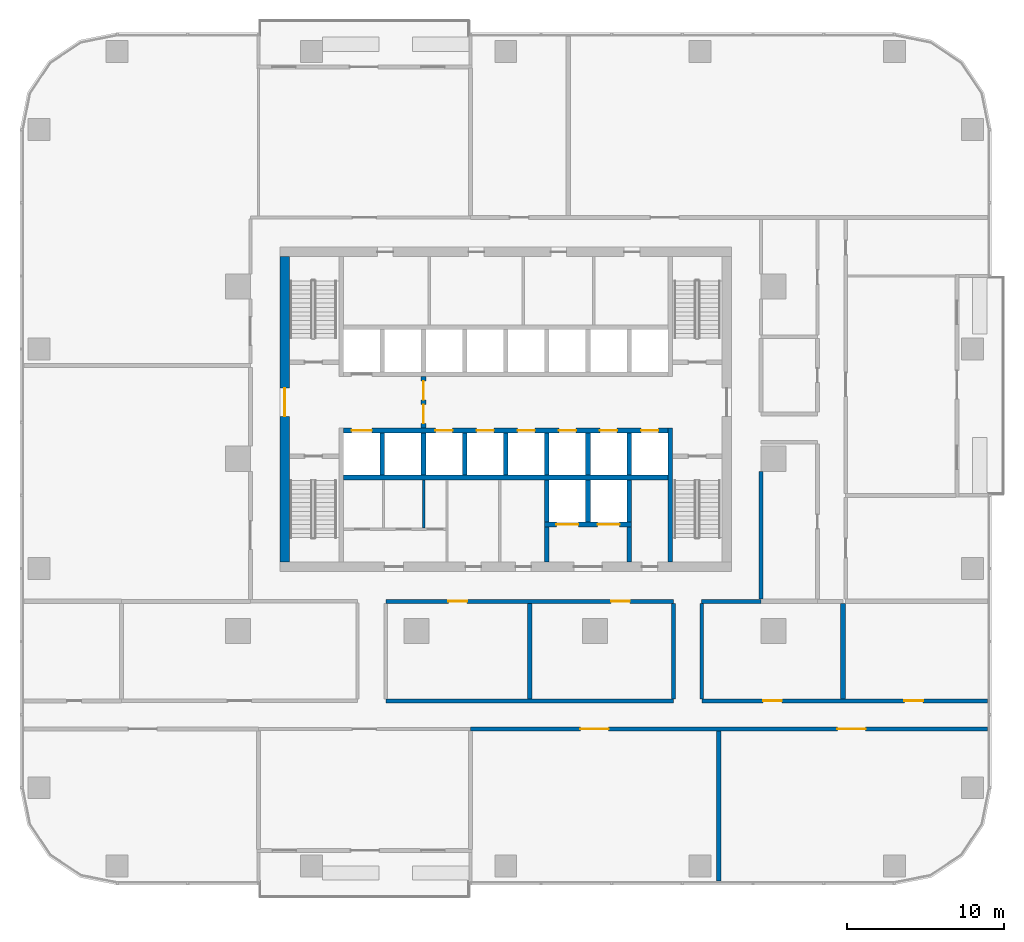
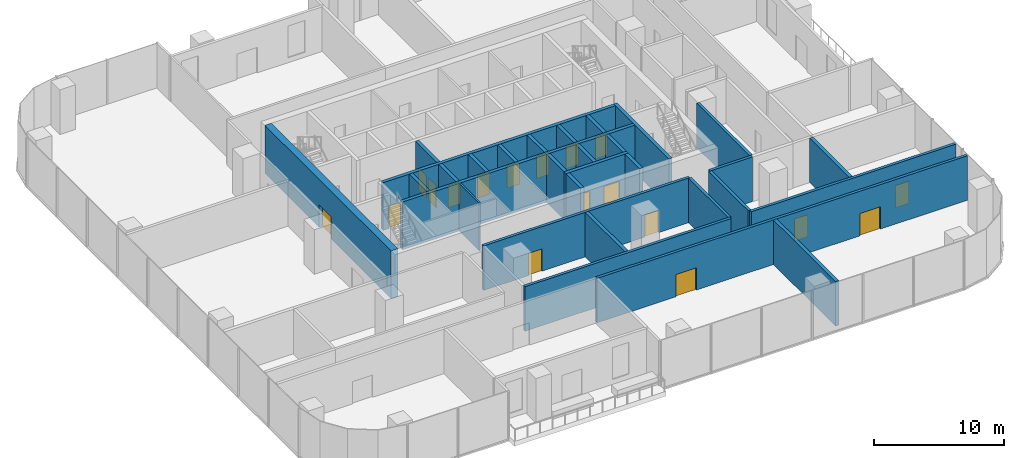
# One storey, part 8 of 15: 30 walls, 18 doors, 18 openings.
"""IFC4 building model written with IfcOpenShell, lengths in metres."""

from ifc_helpers import new_model, si_unit, direction, frame, frame_2d, origin, place, context, subcontext, project, spatial, rectangle, extrude, material, layer, layer_set, type_object, element, fill, save


model = new_model("IFC4")

# Units and contexts
model_context = context("Model", 3, precision=1e-05, world=origin(), true_north=direction((0.0, 1.0)))
body_context = subcontext(model_context, "Body", "Model", "MODEL_VIEW")
ifc_project = project(units=[si_unit("LENGTHUNIT", "METRE"), si_unit("AREAUNIT", "SQUARE_METRE"), si_unit("VOLUMEUNIT", "CUBIC_METRE"), si_unit("PLANEANGLEUNIT", "RADIAN"), si_unit("MASSUNIT", "GRAM", prefix="KILO")], contexts=[model_context])

# Site, building, storey
site_placement = place(None, origin())
site = spatial("IfcSite", under=ifc_project, at=site_placement, CompositionType="ELEMENT")
building_placement = place(site_placement, origin())
building = spatial("IfcBuilding", under=site, at=building_placement, Name="Mopane Tessera Tower", CompositionType="ELEMENT")
storey_placement = place(building_placement, frame((0.0, 0.0, 83.800048828125)))
storey = spatial("IfcBuildingStorey", under=building, at=storey_placement, Name="L16", CompositionType="ELEMENT", Elevation=83.800048828125)

# Wall
ifc_material_1 = material(Name="Fire-rated gypsum board partition")
ifc_layer_1 = layer(ifc_material_1, 0.14990234375)
ifc_layer_set_1 = layer_set([ifc_layer_1], Name="Fire-rated gypsum board partition")
wall_type_1 = type_object("IfcWallType", Name="Core room partition 150 mm", PredefinedType="PARTITIONING", material=ifc_layer_set_1)
wall_1_placement = place(storey_placement, frame((-5.235107421875, -4.425048828125, 0.0), z_axis=(0.0, 0.0, 1.0), x_axis=(0.0, 1.0, 0.0)))
element("IfcWall", 1, at=wall_1_placement, inside=storey, type_object=wall_type_1, Name="L16 WC partition", PredefinedType="PARTITIONING", context=body_context, shape_type="SweptSolid", body=[
    extrude(rectangle(XDim=3.074951171875, YDim=0.14990234375, at=frame_2d((1.53759765625, 0.0))), origin(), (0.0, 0.0, 1.0), 4.5),
])

# Wall, opening, door
ifc_material_2 = material(Name="Concrete C70/85", Category="concrete")
ifc_layer_2 = layer(ifc_material_2, 0.60009765625)
ifc_layer_set_2 = layer_set([ifc_layer_2], Name="Concrete C70/85")
wall_type_2 = type_object("IfcWallType", Name="Core shear wall 600 mm", PredefinedType="SHEAR", material=ifc_layer_set_2)
wall_2_placement = place(storey_placement, frame((-14.10009765625, -6.60009765625, 0.0), z_axis=(0.0, 0.0, 1.0), x_axis=(0.0, 1.0, 0.0)))
wall_2 = element("IfcWall", 2, at=wall_2_placement, inside=storey, type_object=wall_type_2, Name="L16 Core wall west", PredefinedType="SHEAR", context=body_context, shape_type="SweptSolid", body=[
    extrude(rectangle(XDim=19.5, YDim=0.60009765625, at=frame_2d((9.75, 0.0))), origin(), (0.0, 0.0, 1.0), 4.5),
])
opening_1_placement = place(wall_2_placement, frame((9.300048828125, 0.0, 0.0)))
opening_1 = element("IfcOpeningElement", 3, at=opening_1_placement, cuts=wall_2, Name="Opening SD2", PredefinedType="OPENING", context=body_context, shape_type="SweptSolid", body=[
    extrude(rectangle(XDim=1.800048828125, YDim=2.10009765625, at=frame_2d((0.89990234375, 1.050048828125))), frame((0.0, 0.31201171875, 0.0), z_axis=(0.0, -1.0, 0.0), x_axis=(1.0, 0.0, 0.0)), (0.0, 0.0, 1.0), 0.6240234375),
])
ifc_material_3 = material(Name="Steel fire door", Category="steel")
door_type_1 = type_object("IfcDoorType", Name="Core entrance double door 1800 x 2100", OperationType="DOUBLE_DOOR_SINGLE_SWING", PredefinedType="DOOR", material=ifc_material_3)
door_1_placement = place(opening_1_placement, origin())
door_1 = element("IfcDoor", 4, at=door_1_placement, inside=storey, type_object=door_type_1, Name="L16 Core entrance door west", OperationType="DOUBLE_DOOR_SINGLE_SWING", OverallHeight=2.10009765625, OverallWidth=1.800048828125, PredefinedType="DOOR", context=body_context, shape_type="SweptSolid", body=[
    extrude(rectangle(XDim=1.800048828125, YDim=2.10009765625, at=frame_2d((0.89990234375, 1.050048828125))), frame((0.0, 0.02490234375, 0.0), z_axis=(0.0, -1.0, 0.0), x_axis=(1.0, 0.0, 0.0)), (0.0, 0.0, 1.0), 0.050048828125),
])
fill(opening_1, door_1)

# Walls
ifc_material_4 = material(Name="Concrete C60/75", Category="concrete")
ifc_layer_3 = layer(ifc_material_4, 0.300048828125)
ifc_layer_set_3 = layer_set([ifc_layer_3], Name="Concrete C60/75")
wall_type_3 = type_object("IfcWallType", Name="Core spine wall 300 mm", PredefinedType="SHEAR", material=ifc_layer_set_3)
wall_3_placement = place(storey_placement, frame((10.5, -6.60009765625, 0.0), z_axis=(0.0, 0.0, 1.0), x_axis=(0.0, 1.0, 0.0)))
element("IfcWall", 5, at=wall_3_placement, inside=storey, type_object=wall_type_3, Name="L16 Core spine wall", PredefinedType="SHEAR", context=body_context, shape_type="SweptSolid", body=[
    extrude(rectangle(XDim=8.550048828125, YDim=0.300048828125, at=frame_2d((4.27490234375, 0.0))), origin(), (0.0, 0.0, 1.0), 4.5),
])
ifc_material_5 = material(Name="Concrete C50/60", Category="concrete")
ifc_layer_4 = layer(ifc_material_5, 0.300048828125)
ifc_layer_set_4 = layer_set([ifc_layer_4], Name="Concrete C50/60")
wall_type_4 = type_object("IfcWallType", Name="Lift and stair shaft wall 300 mm", PredefinedType="SOLIDWALL", material=ifc_layer_set_4)
wall_4_placement = place(storey_placement, frame((-10.35009765625, -1.199951171875, 0.0), z_axis=(0.0, 0.0, 1.0), x_axis=(1.0, 0.0, 0.0)))
element("IfcWall", 6, at=wall_4_placement, inside=storey, type_object=wall_type_4, Name="L16 Lift shaft rear wall", PredefinedType="SOLIDWALL", context=body_context, shape_type="SweptSolid", body=[
    extrude(rectangle(XDim=20.7001953125, YDim=0.300048828125, at=frame_2d((10.35009765625, 0.0))), origin(), (0.0, 0.0, 1.0), 4.5),
])

# Wall, openings, doors
wall_5_placement = place(storey_placement, frame((-10.35009765625, 1.800048828125, 0.0), z_axis=(0.0, 0.0, 1.0), x_axis=(1.0, 0.0, 0.0)))
wall_5 = element("IfcWall", 7, at=wall_5_placement, inside=storey, type_object=wall_type_4, Name="L16 Lift shaft front wall", PredefinedType="SOLIDWALL", context=body_context, shape_type="SweptSolid", body=[
    extrude(rectangle(XDim=20.7001953125, YDim=0.300048828125, at=frame_2d((10.35009765625, 0.0))), origin(), (0.0, 0.0, 1.0), 4.5),
])
opening_2_placement = place(wall_5_placement, frame((0.512451171875, 0.0, 0.0)))
opening_2 = element("IfcOpeningElement", 8, at=opening_2_placement, cuts=wall_5, Name="Opening LD2", PredefinedType="OPENING", context=body_context, shape_type="SweptSolid", body=[
    extrude(rectangle(XDim=1.300048828125, YDim=2.10009765625, at=frame_2d((0.64990234375, 1.050048828125))), frame((0.0, 0.162109375, 0.0), z_axis=(0.0, -1.0, 0.0), x_axis=(1.0, 0.0, 0.0)), (0.0, 0.0, 1.0), 0.323974609375),
])
opening_3_placement = place(wall_5_placement, frame((5.862548828125, 0.0, 0.0)))
opening_3 = element("IfcOpeningElement", 9, at=opening_3_placement, cuts=wall_5, Name="Opening LD", PredefinedType="OPENING", context=body_context, shape_type="SweptSolid", body=[
    extrude(rectangle(XDim=1.10009765625, YDim=2.10009765625, at=frame_2d((0.550048828125, 1.050048828125))), frame((0.0, 0.162109375, 0.0), z_axis=(0.0, -1.0, 0.0), x_axis=(1.0, 0.0, 0.0)), (0.0, 0.0, 1.0), 0.323974609375),
])
opening_4_placement = place(wall_5_placement, frame((8.487548828125, 0.0, 0.0)))
opening_4 = element("IfcOpeningElement", 10, at=opening_4_placement, cuts=wall_5, Name="Opening LD", PredefinedType="OPENING", context=body_context, shape_type="SweptSolid", body=[
    extrude(rectangle(XDim=1.10009765625, YDim=2.10009765625, at=frame_2d((0.550048828125, 1.050048828125))), frame((0.0, 0.162109375, 0.0), z_axis=(0.0, -1.0, 0.0), x_axis=(1.0, 0.0, 0.0)), (0.0, 0.0, 1.0), 0.323974609375),
])
opening_5_placement = place(wall_5_placement, frame((11.112548828125, 0.0, 0.0)))
opening_5 = element("IfcOpeningElement", 11, at=opening_5_placement, cuts=wall_5, Name="Opening LD", PredefinedType="OPENING", context=body_context, shape_type="SweptSolid", body=[
    extrude(rectangle(XDim=1.10009765625, YDim=2.10009765625, at=frame_2d((0.550048828125, 1.050048828125))), frame((0.0, 0.162109375, 0.0), z_axis=(0.0, -1.0, 0.0), x_axis=(1.0, 0.0, 0.0)), (0.0, 0.0, 1.0), 0.323974609375),
])
opening_6_placement = place(wall_5_placement, frame((13.737548828125, 0.0, 0.0)))
opening_6 = element("IfcOpeningElement", 12, at=opening_6_placement, cuts=wall_5, Name="Opening LD", PredefinedType="OPENING", context=body_context, shape_type="SweptSolid", body=[
    extrude(rectangle(XDim=1.10009765625, YDim=2.10009765625, at=frame_2d((0.550048828125, 1.050048828125))), frame((0.0, 0.162109375, 0.0), z_axis=(0.0, -1.0, 0.0), x_axis=(1.0, 0.0, 0.0)), (0.0, 0.0, 1.0), 0.323974609375),
])
opening_7_placement = place(wall_5_placement, frame((16.362548828125, 0.0, 0.0)))
opening_7 = element("IfcOpeningElement", 13, at=opening_7_placement, cuts=wall_5, Name="Opening LD", PredefinedType="OPENING", context=body_context, shape_type="SweptSolid", body=[
    extrude(rectangle(XDim=1.10009765625, YDim=2.10009765625, at=frame_2d((0.550048828125, 1.050048828125))), frame((0.0, 0.162109375, 0.0), z_axis=(0.0, -1.0, 0.0), x_axis=(1.0, 0.0, 0.0)), (0.0, 0.0, 1.0), 0.323974609375),
])
opening_8_placement = place(wall_5_placement, frame((18.987548828125, 0.0, 0.0)))
opening_8 = element("IfcOpeningElement", 14, at=opening_8_placement, cuts=wall_5, Name="Opening LD", PredefinedType="OPENING", context=body_context, shape_type="SweptSolid", body=[
    extrude(rectangle(XDim=1.10009765625, YDim=2.10009765625, at=frame_2d((0.550048828125, 1.050048828125))), frame((0.0, 0.162109375, 0.0), z_axis=(0.0, -1.0, 0.0), x_axis=(1.0, 0.0, 0.0)), (0.0, 0.0, 1.0), 0.323974609375),
])
ifc_material_6 = material(Name="Stainless steel sliding door", Category="steel")
door_type_2 = type_object("IfcDoorType", Name="Fire-fighting lift landing door 1300 x 2100", OperationType="DOUBLE_DOOR_SLIDING", PredefinedType="DOOR", material=ifc_material_6)
door_2_placement = place(opening_2_placement, origin())
door_2 = element("IfcDoor", 15, at=door_2_placement, inside=storey, type_object=door_type_2, Name="L16 Lift landing door FF1", OperationType="DOUBLE_DOOR_SLIDING", OverallHeight=2.10009765625, OverallWidth=1.300048828125, PredefinedType="DOOR", context=body_context, shape_type="SweptSolid", body=[
    extrude(rectangle(XDim=1.300048828125, YDim=2.10009765625, at=frame_2d((0.64990234375, 1.050048828125))), frame((0.0, 0.02490234375, 0.0), z_axis=(0.0, -1.0, 0.0), x_axis=(1.0, 0.0, 0.0)), (0.0, 0.0, 1.0), 0.050048828125),
])
fill(opening_2, door_2)
ifc_material_7 = material(Name="Stainless steel sliding door", Category="steel")
door_type_3 = type_object("IfcDoorType", Name="Lift landing door 1100 x 2100", OperationType="DOUBLE_DOOR_SLIDING", PredefinedType="DOOR", material=ifc_material_7)
door_3_placement = place(opening_3_placement, origin())
door_3 = element("IfcDoor", 16, at=door_3_placement, inside=storey, type_object=door_type_3, Name="L16 Lift landing door LR1", OperationType="DOUBLE_DOOR_SLIDING", OverallHeight=2.10009765625, OverallWidth=1.10009765625, PredefinedType="DOOR", context=body_context, shape_type="SweptSolid", body=[
    extrude(rectangle(XDim=1.10009765625, YDim=2.10009765625, at=frame_2d((0.550048828125, 1.050048828125))), frame((0.0, 0.02490234375, 0.0), z_axis=(0.0, -1.0, 0.0), x_axis=(1.0, 0.0, 0.0)), (0.0, 0.0, 1.0), 0.050048828125),
])
fill(opening_3, door_3)
door_4_placement = place(opening_4_placement, origin())
door_4 = element("IfcDoor", 17, at=door_4_placement, inside=storey, type_object=door_type_3, Name="L16 Lift landing door LR2", OperationType="DOUBLE_DOOR_SLIDING", OverallHeight=2.10009765625, OverallWidth=1.10009765625, PredefinedType="DOOR", context=body_context, shape_type="SweptSolid", body=[
    extrude(rectangle(XDim=1.10009765625, YDim=2.10009765625, at=frame_2d((0.550048828125, 1.050048828125))), frame((0.0, 0.02490234375, 0.0), z_axis=(0.0, -1.0, 0.0), x_axis=(1.0, 0.0, 0.0)), (0.0, 0.0, 1.0), 0.050048828125),
])
fill(opening_4, door_4)
door_5_placement = place(opening_5_placement, origin())
door_5 = element("IfcDoor", 18, at=door_5_placement, inside=storey, type_object=door_type_3, Name="L16 Lift landing door LR3", OperationType="DOUBLE_DOOR_SLIDING", OverallHeight=2.10009765625, OverallWidth=1.10009765625, PredefinedType="DOOR", context=body_context, shape_type="SweptSolid", body=[
    extrude(rectangle(XDim=1.10009765625, YDim=2.10009765625, at=frame_2d((0.550048828125, 1.050048828125))), frame((0.0, 0.02490234375, 0.0), z_axis=(0.0, -1.0, 0.0), x_axis=(1.0, 0.0, 0.0)), (0.0, 0.0, 1.0), 0.050048828125),
])
fill(opening_5, door_5)
door_6_placement = place(opening_6_placement, origin())
door_6 = element("IfcDoor", 19, at=door_6_placement, inside=storey, type_object=door_type_3, Name="L16 Lift landing door LR4", OperationType="DOUBLE_DOOR_SLIDING", OverallHeight=2.10009765625, OverallWidth=1.10009765625, PredefinedType="DOOR", context=body_context, shape_type="SweptSolid", body=[
    extrude(rectangle(XDim=1.10009765625, YDim=2.10009765625, at=frame_2d((0.550048828125, 1.050048828125))), frame((0.0, 0.02490234375, 0.0), z_axis=(0.0, -1.0, 0.0), x_axis=(1.0, 0.0, 0.0)), (0.0, 0.0, 1.0), 0.050048828125),
])
fill(opening_6, door_6)
door_7_placement = place(opening_7_placement, origin())
door_7 = element("IfcDoor", 20, at=door_7_placement, inside=storey, type_object=door_type_3, Name="L16 Lift landing door LR5", OperationType="DOUBLE_DOOR_SLIDING", OverallHeight=2.10009765625, OverallWidth=1.10009765625, PredefinedType="DOOR", context=body_context, shape_type="SweptSolid", body=[
    extrude(rectangle(XDim=1.10009765625, YDim=2.10009765625, at=frame_2d((0.550048828125, 1.050048828125))), frame((0.0, 0.02490234375, 0.0), z_axis=(0.0, -1.0, 0.0), x_axis=(1.0, 0.0, 0.0)), (0.0, 0.0, 1.0), 0.050048828125),
])
fill(opening_7, door_7)
door_8_placement = place(opening_8_placement, origin())
door_8 = element("IfcDoor", 21, at=door_8_placement, inside=storey, type_object=door_type_3, Name="L16 Lift landing door LR6", OperationType="DOUBLE_DOOR_SLIDING", OverallHeight=2.10009765625, OverallWidth=1.10009765625, PredefinedType="DOOR", context=body_context, shape_type="SweptSolid", body=[
    extrude(rectangle(XDim=1.10009765625, YDim=2.10009765625, at=frame_2d((0.550048828125, 1.050048828125))), frame((0.0, 0.02490234375, 0.0), z_axis=(0.0, -1.0, 0.0), x_axis=(1.0, 0.0, 0.0)), (0.0, 0.0, 1.0), 0.050048828125),
])
fill(opening_8, door_8)

# Walls
for number, where, z_axis, x_axis, name in (
    (22, (-7.875, -1.050048828125, 0.0), (0.0, 0.0, 1.0), (0.0, 1.0, 0.0), "L16 Lift shaft wall"),
    (23, (-5.25, -1.050048828125, 0.0), (0.0, 0.0, 1.0), (0.0, 1.0, 0.0), "L16 Lift shaft wall"),
    (24, (-2.625, -1.050048828125, 0.0), (0.0, 0.0, 1.0), (0.0, 1.0, 0.0), "L16 Lift shaft wall"),
    (25, (0.0, -1.050048828125, 0.0), (0.0, 0.0, 1.0), (0.0, 1.0, 0.0), "L16 Lift shaft wall"),
    (26, (2.625, -1.050048828125, 0.0), (0.0, 0.0, 1.0), (0.0, 1.0, 0.0), "L16 Lift shaft wall"),
    (27, (5.25, -1.050048828125, 0.0), (0.0, 0.0, 1.0), (0.0, 1.0, 0.0), "L16 Lift shaft wall"),
    (28, (7.875, -1.050048828125, 0.0), (0.0, 0.0, 1.0), (0.0, 1.0, 0.0), "L16 Lift shaft wall"),
):
    element("IfcWall", number, at=place(storey_placement, frame(where, z_axis=z_axis, x_axis=x_axis)), inside=storey, type_object=wall_type_4, Name=name, PredefinedType="SOLIDWALL", context=body_context, shape_type="SweptSolid", body=[
        extrude(rectangle(XDim=2.699951171875, YDim=0.300048828125, at=frame_2d((1.35009765625, 0.0))), origin(), (0.0, 0.0, 1.0), 4.5),
    ])

# Wall, openings, doors
wall_6_placement = place(storey_placement, frame((2.47509765625, -4.199951171875, 0.0), z_axis=(0.0, 0.0, 1.0), x_axis=(1.0, 0.0, 0.0)))
wall_6 = element("IfcWall", 29, at=wall_6_placement, inside=storey, type_object=wall_type_4, Name="L16 Lift shaft front wall", PredefinedType="SOLIDWALL", context=body_context, shape_type="SweptSolid", body=[
    extrude(rectangle(XDim=5.5498046875, YDim=0.300048828125, at=frame_2d((2.77490234375, 0.0))), origin(), (0.0, 0.0, 1.0), 4.5),
])
opening_9_placement = place(wall_6_placement, frame((0.762451171875, 0.0, 0.0)))
opening_9 = element("IfcOpeningElement", 30, at=opening_9_placement, cuts=wall_6, Name="Opening LD3", PredefinedType="OPENING", context=body_context, shape_type="SweptSolid", body=[
    extrude(rectangle(XDim=1.39990234375, YDim=2.10009765625, at=frame_2d((0.699951171875, 1.050048828125))), frame((0.0, 0.162109375, 0.0), z_axis=(0.0, -1.0, 0.0), x_axis=(1.0, 0.0, 0.0)), (0.0, 0.0, 1.0), 0.323974609375),
])
opening_10_placement = place(wall_6_placement, frame((3.387451171875, 0.0, 0.0)))
opening_10 = element("IfcOpeningElement", 31, at=opening_10_placement, cuts=wall_6, Name="Opening LD3", PredefinedType="OPENING", context=body_context, shape_type="SweptSolid", body=[
    extrude(rectangle(XDim=1.39990234375, YDim=2.10009765625, at=frame_2d((0.699951171875, 1.050048828125))), frame((0.0, 0.162109375, 0.0), z_axis=(0.0, -1.0, 0.0), x_axis=(1.0, 0.0, 0.0)), (0.0, 0.0, 1.0), 0.323974609375),
])
ifc_material_8 = material(Name="Stainless steel sliding door", Category="steel")
door_type_4 = type_object("IfcDoorType", Name="Service lift landing door 1400 x 2100", OperationType="DOUBLE_DOOR_SLIDING", PredefinedType="DOOR", material=ifc_material_8)
door_9_placement = place(opening_9_placement, origin())
door_9 = element("IfcDoor", 32, at=door_9_placement, inside=storey, type_object=door_type_4, Name="L16 Lift landing door SV1", OperationType="DOUBLE_DOOR_SLIDING", OverallHeight=2.10009765625, OverallWidth=1.39990234375, PredefinedType="DOOR", context=body_context, shape_type="SweptSolid", body=[
    extrude(rectangle(XDim=1.39990234375, YDim=2.10009765625, at=frame_2d((0.699951171875, 1.050048828125))), frame((0.0, 0.02490234375, 0.0), z_axis=(0.0, -1.0, 0.0), x_axis=(1.0, 0.0, 0.0)), (0.0, 0.0, 1.0), 0.050048828125),
])
fill(opening_9, door_9)
door_10_placement = place(opening_10_placement, origin())
door_10 = element("IfcDoor", 33, at=door_10_placement, inside=storey, type_object=door_type_4, Name="L16 Lift landing door SV2", OperationType="DOUBLE_DOOR_SLIDING", OverallHeight=2.10009765625, OverallWidth=1.39990234375, PredefinedType="DOOR", context=body_context, shape_type="SweptSolid", body=[
    extrude(rectangle(XDim=1.39990234375, YDim=2.10009765625, at=frame_2d((0.699951171875, 1.050048828125))), frame((0.0, 0.02490234375, 0.0), z_axis=(0.0, -1.0, 0.0), x_axis=(1.0, 0.0, 0.0)), (0.0, 0.0, 1.0), 0.050048828125),
])
fill(opening_10, door_10)

# Walls
for number, where, z_axis, x_axis, name in (
    (34, (2.625, -4.050048828125, 0.0), (0.0, 0.0, 1.0), (0.0, 1.0, 0.0), "L16 Lift shaft wall"),
    (35, (5.25, -4.050048828125, 0.0), (0.0, 0.0, 1.0), (0.0, 1.0, 0.0), "L16 Lift shaft wall"),
    (36, (7.875, -4.050048828125, 0.0), (0.0, 0.0, 1.0), (0.0, 1.0, 0.0), "L16 Lift shaft wall"),
):
    element("IfcWall", number, at=place(storey_placement, frame(where, z_axis=z_axis, x_axis=x_axis)), inside=storey, type_object=wall_type_4, Name=name, PredefinedType="SOLIDWALL", context=body_context, shape_type="SweptSolid", body=[
        extrude(rectangle(XDim=2.699951171875, YDim=0.300048828125, at=frame_2d((1.35009765625, 0.0))), origin(), (0.0, 0.0, 1.0), 4.5),
    ])

# Wall, openings, doors
ifc_material_9 = material(Name="Concrete C50/60", Category="concrete")
ifc_layer_5 = layer(ifc_material_9, 0.300048828125)
ifc_layer_set_5 = layer_set([ifc_layer_5], Name="Concrete C50/60")
wall_type_5 = type_object("IfcWallType", Name="Lobby and refuge room wall 300 mm", PredefinedType="SOLIDWALL", material=ifc_layer_set_5)
wall_7_placement = place(storey_placement, frame((-5.25, 1.949951171875, 0.0), z_axis=(0.0, 0.0, 1.0), x_axis=(0.0, 1.0, 0.0)))
wall_7 = element("IfcWall", 37, at=wall_7_placement, inside=storey, type_object=wall_type_5, Name="L16 Fire-fighting lobby wall", PredefinedType="SOLIDWALL", context=body_context, shape_type="SweptSolid", body=[
    extrude(rectangle(XDim=3.300048828125, YDim=0.300048828125, at=frame_2d((1.64990234375, 0.0))), origin(), (0.0, 0.0, 1.0), 4.5),
])
opening_11_placement = place(wall_7_placement, frame((0.300048828125, 0.0, 0.0)))
opening_11 = element("IfcOpeningElement", 38, at=opening_11_placement, cuts=wall_7, Name="Opening SD3", PredefinedType="OPENING", context=body_context, shape_type="SweptSolid", body=[
    extrude(rectangle(XDim=1.199951171875, YDim=2.10009765625, at=frame_2d((0.60009765625, 1.050048828125))), frame((0.0, 0.162109375, 0.0), z_axis=(0.0, -1.0, 0.0), x_axis=(1.0, 0.0, 0.0)), (0.0, 0.0, 1.0), 0.323974609375),
])
opening_12_placement = place(wall_7_placement, frame((1.800048828125, 0.0, 0.0)))
opening_12 = element("IfcOpeningElement", 39, at=opening_12_placement, cuts=wall_7, Name="Opening SD3", PredefinedType="OPENING", context=body_context, shape_type="SweptSolid", body=[
    extrude(rectangle(XDim=1.199951171875, YDim=2.10009765625, at=frame_2d((0.60009765625, 1.050048828125))), frame((0.0, 0.162109375, 0.0), z_axis=(0.0, -1.0, 0.0), x_axis=(1.0, 0.0, 0.0)), (0.0, 0.0, 1.0), 0.323974609375),
])
ifc_material_10 = material(Name="Steel fire door", Category="steel")
door_type_5 = type_object("IfcDoorType", Name="Lobby fire door 1200 x 2100", OperationType="SINGLE_SWING_LEFT", PredefinedType="DOOR", material=ifc_material_10)
door_11_placement = place(opening_11_placement, origin())
door_11 = element("IfcDoor", 40, at=door_11_placement, inside=storey, type_object=door_type_5, Name="L16 Fire-fighting lobby door", OperationType="SINGLE_SWING_LEFT", OverallHeight=2.10009765625, OverallWidth=1.199951171875, PredefinedType="DOOR", context=body_context, shape_type="SweptSolid", body=[
    extrude(rectangle(XDim=1.199951171875, YDim=2.10009765625, at=frame_2d((0.60009765625, 1.050048828125))), frame((0.0, 0.02490234375, 0.0), z_axis=(0.0, -1.0, 0.0), x_axis=(1.0, 0.0, 0.0)), (0.0, 0.0, 1.0), 0.050048828125),
])
fill(opening_11, door_11)
door_12_placement = place(opening_12_placement, origin())
door_12 = element("IfcDoor", 41, at=door_12_placement, inside=storey, type_object=door_type_5, Name="L16 Fire-fighting lobby door", OperationType="SINGLE_SWING_RIGHT", OverallHeight=2.10009765625, OverallWidth=1.199951171875, PredefinedType="DOOR", context=body_context, shape_type="SweptSolid", body=[
    extrude(rectangle(XDim=1.199951171875, YDim=2.10009765625, at=frame_2d((0.60009765625, 1.050048828125))), frame((0.0, 0.02490234375, 0.0), z_axis=(0.0, -1.0, 0.0), x_axis=(1.0, 0.0, 0.0)), (0.0, 0.0, 1.0), 0.050048828125),
])
fill(opening_12, door_12)

# Walls
for number, where, z_axis, x_axis, name in (
    (42, (2.625, -6.60009765625, 0.0), (0.0, 0.0, 1.0), (0.0, 1.0, 0.0), "L16 Service lobby wall"),
    (43, (7.875, -6.60009765625, 0.0), (0.0, 0.0, 1.0), (0.0, 1.0, 0.0), "L16 Service lobby wall"),
):
    element("IfcWall", number, at=place(storey_placement, frame(where, z_axis=z_axis, x_axis=x_axis)), inside=storey, type_object=wall_type_5, Name=name, PredefinedType="SOLIDWALL", context=body_context, shape_type="SweptSolid", body=[
        extrude(rectangle(XDim=2.25, YDim=0.300048828125, at=frame_2d((1.125, 0.0))), origin(), (0.0, 0.0, 1.0), 4.5),
    ])
ifc_material_11 = material(Name="Plastered concrete blockwork C20/25", Category="masonry")
ifc_layer_6 = layer(ifc_material_11, 0.300048828125)
ifc_layer_set_6 = layer_set([ifc_layer_6], Name="Plastered concrete blockwork C20/25")
wall_type_6 = type_object("IfcWallType", Name="Plastered blockwork separation wall 300, rated EI 120", PredefinedType="PARTITIONING", material=ifc_layer_set_6)
wall_8_placement = place(storey_placement, frame((1.530029296875, -15.324951171875, 0.0), z_axis=(0.0, 0.0, 1.0), x_axis=(0.0, 1.0, 0.0)))
element("IfcWall", 44, at=wall_8_placement, inside=storey, type_object=wall_type_6, Name="Partition L16:034", PredefinedType="PARTITIONING", context=body_context, shape_type="SweptSolid", body=[
    extrude(rectangle(XDim=6.099853515625, YDim=0.300048828125, at=frame_2d((3.0498046875, 0.0))), origin(), (0.0, 0.0, 1.0), 4.199951171875),
])
wall_9_placement = place(storey_placement, frame((13.594970703125, -26.949951171875, 0.0), z_axis=(0.0, 0.0, 1.0), x_axis=(0.0, 1.0, 0.0)))
element("IfcWall", 45, at=wall_9_placement, inside=storey, type_object=wall_type_6, Name="Partition L16:038", PredefinedType="PARTITIONING", context=body_context, shape_type="SweptSolid", body=[
    extrude(rectangle(XDim=9.574951171875, YDim=0.300048828125, at=frame_2d((4.78759765625, 0.0))), origin(), (0.0, 0.0, 1.0), 4.199951171875),
])
wall_10_placement = place(storey_placement, frame((21.530029296875, -15.324951171875, 0.0), z_axis=(0.0, 0.0, 1.0), x_axis=(0.0, 1.0, 0.0)))
element("IfcWall", 46, at=wall_10_placement, inside=storey, type_object=wall_type_6, Name="Partition L16:046", PredefinedType="PARTITIONING", context=body_context, shape_type="SweptSolid", body=[
    extrude(rectangle(XDim=6.099853515625, YDim=0.300048828125, at=frame_2d((3.0498046875, 0.0))), origin(), (0.0, 0.0, 1.0), 4.199951171875),
])

# Wall, openings, doors
ifc_material_12 = material(Name="Plastered concrete blockwork C20/25", Category="masonry")
ifc_layer_7 = layer(ifc_material_12, 0.25)
ifc_layer_set_7 = layer_set([ifc_layer_7], Name="Plastered concrete blockwork C20/25")
wall_type_7 = type_object("IfcWallType", Name="Plastered blockwork wall 250, rated EI 120", PredefinedType="PARTITIONING", material=ifc_layer_set_7)
wall_11_placement = place(storey_placement, frame((-2.2548828125, -17.25, 0.0), z_axis=(0.0, 0.0, 1.0), x_axis=(1.0, 0.0, 0.0)))
wall_11 = element("IfcWall", 47, at=wall_11_placement, inside=storey, type_object=wall_type_7, Name="Partition L16:002", PredefinedType="PARTITIONING", context=body_context, shape_type="SweptSolid", body=[
    extrude(rectangle(XDim=33.0048828125, YDim=0.25, at=frame_2d((16.50244140625, 0.0))), origin(), (0.0, 0.0, 1.0), 4.199951171875),
])
opening_13_placement = place(wall_11_placement, frame((7.02490234375, 0.0, 0.0)))
opening_13 = element("IfcOpeningElement", 48, at=opening_13_placement, cuts=wall_11, Name="Opening L16-06", PredefinedType="OPENING", context=body_context, shape_type="SweptSolid", body=[
    extrude(rectangle(XDim=1.800048828125, YDim=2.10009765625, at=frame_2d((0.89990234375, 1.050048828125))), frame((0.0, 0.136962890625, 0.0), z_axis=(0.0, -1.0, 0.0), x_axis=(1.0, 0.0, 0.0)), (0.0, 0.0, 1.0), 0.27392578125),
])
opening_14_placement = place(wall_11_placement, frame((23.427490234375, 0.0, 0.0)))
opening_14 = element("IfcOpeningElement", 49, at=opening_14_placement, cuts=wall_11, Name="Opening L16-10", PredefinedType="OPENING", context=body_context, shape_type="SweptSolid", body=[
    extrude(rectangle(XDim=1.800048828125, YDim=2.10009765625, at=frame_2d((0.89990234375, 1.050048828125))), frame((0.0, 0.136962890625, 0.0), z_axis=(0.0, -1.0, 0.0), x_axis=(1.0, 0.0, 0.0)), (0.0, 0.0, 1.0), 0.27392578125),
])
ifc_material_13 = material(Name="Timber veneered steel-framed fire door", Category="steel")
door_type_6 = type_object("IfcDoorType", Name="Fire door pair FD120 1800 x 2100", OperationType="DOUBLE_DOOR_SINGLE_SWING", PredefinedType="DOOR", material=ifc_material_13)
door_13_placement = place(opening_13_placement, origin())
door_13 = element("IfcDoor", 50, at=door_13_placement, inside=storey, type_object=door_type_6, Name="Door L16-06", ObjectType="D20B", OperationType="DOUBLE_DOOR_SINGLE_SWING", OverallHeight=2.10009765625, OverallWidth=1.800048828125, PredefinedType="DOOR", context=body_context, shape_type="SweptSolid", body=[
    extrude(rectangle(XDim=1.800048828125, YDim=2.10009765625, at=frame_2d((0.89990234375, 1.050048828125))), frame((0.0, 0.02490234375, 0.0), z_axis=(0.0, -1.0, 0.0), x_axis=(1.0, 0.0, 0.0)), (0.0, 0.0, 1.0), 0.050048828125),
])
fill(opening_13, door_13)
door_14_placement = place(opening_14_placement, origin())
door_14 = element("IfcDoor", 51, at=door_14_placement, inside=storey, type_object=door_type_6, Name="Door L16-10", ObjectType="D20B", OperationType="DOUBLE_DOOR_SINGLE_SWING", OverallHeight=2.10009765625, OverallWidth=1.800048828125, PredefinedType="DOOR", context=body_context, shape_type="SweptSolid", body=[
    extrude(rectangle(XDim=1.800048828125, YDim=2.10009765625, at=frame_2d((0.89990234375, 1.050048828125))), frame((0.0, 0.02490234375, 0.0), z_axis=(0.0, -1.0, 0.0), x_axis=(1.0, 0.0, 0.0)), (0.0, 0.0, 1.0), 0.050048828125),
])
fill(opening_14, door_14)

# Wall
wall_12_placement = place(storey_placement, frame((-7.655029296875, -15.449951171875, 0.0), z_axis=(0.0, 0.0, 1.0), x_axis=(1.0, 0.0, 0.0)))
element("IfcWall", 52, at=wall_12_placement, inside=storey, type_object=wall_type_7, Name="Partition L16:005", PredefinedType="PARTITIONING", context=body_context, shape_type="SweptSolid", body=[
    extrude(rectangle(XDim=18.364990234375, YDim=0.25, at=frame_2d((9.1826171875, 0.0))), origin(), (0.0, 0.0, 1.0), 4.199951171875),
])

# Wall, openings, doors
wall_13_placement = place(storey_placement, frame((12.510009765625, -15.449951171875, 0.0), z_axis=(0.0, 0.0, 1.0), x_axis=(1.0, 0.0, 0.0)))
wall_13 = element("IfcWall", 53, at=wall_13_placement, inside=storey, type_object=wall_type_7, Name="Partition L16:006", PredefinedType="PARTITIONING", context=body_context, shape_type="SweptSolid", body=[
    extrude(rectangle(XDim=18.239990234375, YDim=0.25, at=frame_2d((9.1201171875, 0.0))), origin(), (0.0, 0.0, 1.0), 4.199951171875),
])
opening_15_placement = place(wall_13_placement, frame((12.929931640625, 0.0, 0.0)))
opening_15 = element("IfcOpeningElement", 54, at=opening_15_placement, cuts=wall_13, Name="Opening L16-02", PredefinedType="OPENING", context=body_context, shape_type="SweptSolid", body=[
    extrude(rectangle(XDim=1.199951171875, YDim=2.10009765625, at=frame_2d((0.60009765625, 1.050048828125))), frame((0.0, 0.136962890625, 0.0), z_axis=(0.0, -1.0, 0.0), x_axis=(1.0, 0.0, 0.0)), (0.0, 0.0, 1.0), 0.27392578125),
])
opening_16_placement = place(wall_13_placement, frame((3.909912109375, 0.0, 0.0)))
opening_16 = element("IfcOpeningElement", 55, at=opening_16_placement, cuts=wall_13, Name="Opening L16-11", PredefinedType="OPENING", context=body_context, shape_type="SweptSolid", body=[
    extrude(rectangle(XDim=1.199951171875, YDim=2.10009765625, at=frame_2d((0.60009765625, 1.050048828125))), frame((0.0, 0.136962890625, 0.0), z_axis=(0.0, -1.0, 0.0), x_axis=(1.0, 0.0, 0.0)), (0.0, 0.0, 1.0), 0.27392578125),
])
ifc_material_14 = material(Name="Timber veneered steel-framed fire door", Category="steel")
door_type_7 = type_object("IfcDoorType", Name="Fire door FD120 1200 x 2100", OperationType="SINGLE_SWING_LEFT", PredefinedType="DOOR", material=ifc_material_14)
door_15_placement = place(opening_15_placement, origin())
door_15 = element("IfcDoor", 56, at=door_15_placement, inside=storey, type_object=door_type_7, Name="Door L16-02", ObjectType="D15B", OperationType="SINGLE_SWING_RIGHT", OverallHeight=2.10009765625, OverallWidth=1.199951171875, PredefinedType="DOOR", context=body_context, shape_type="SweptSolid", body=[
    extrude(rectangle(XDim=1.199951171875, YDim=2.10009765625, at=frame_2d((0.60009765625, 1.050048828125))), frame((0.0, 0.02490234375, 0.0), z_axis=(0.0, -1.0, 0.0), x_axis=(1.0, 0.0, 0.0)), (0.0, 0.0, 1.0), 0.050048828125),
])
fill(opening_15, door_15)
door_16_placement = place(opening_16_placement, origin())
door_16 = element("IfcDoor", 57, at=door_16_placement, inside=storey, type_object=door_type_7, Name="Door L16-11", ObjectType="D15B", OperationType="SINGLE_SWING_LEFT", OverallHeight=2.10009765625, OverallWidth=1.199951171875, PredefinedType="DOOR", context=body_context, shape_type="SweptSolid", body=[
    extrude(rectangle(XDim=1.199951171875, YDim=2.10009765625, at=frame_2d((0.60009765625, 1.050048828125))), frame((0.0, 0.02490234375, 0.0), z_axis=(0.0, -1.0, 0.0), x_axis=(1.0, 0.0, 0.0)), (0.0, 0.0, 1.0), 0.050048828125),
])
fill(opening_16, door_16)

wall_14_placement = place(storey_placement, frame((-7.655029296875, -9.10009765625, 0.0), z_axis=(0.0, 0.0, 1.0), x_axis=(1.0, 0.0, 0.0)))
wall_14 = element("IfcWall", 58, at=wall_14_placement, inside=storey, type_object=wall_type_7, Name="Partition L16:009", PredefinedType="PARTITIONING", context=body_context, shape_type="SweptSolid", body=[
    extrude(rectangle(XDim=18.364990234375, YDim=0.25, at=frame_2d((9.1826171875, 0.0))), origin(), (0.0, 0.0, 1.0), 4.199951171875),
])
opening_17_placement = place(wall_14_placement, frame((3.992431640625, 0.0, 0.0)))
opening_17 = element("IfcOpeningElement", 59, at=opening_17_placement, cuts=wall_14, Name="Opening L16-01", PredefinedType="OPENING", context=body_context, shape_type="SweptSolid", body=[
    extrude(rectangle(XDim=1.199951171875, YDim=2.10009765625, at=frame_2d((0.60009765625, 1.050048828125))), frame((0.0, 0.136962890625, 0.0), z_axis=(0.0, -1.0, 0.0), x_axis=(1.0, 0.0, 0.0)), (0.0, 0.0, 1.0), 0.27392578125),
])
opening_18_placement = place(wall_14_placement, frame((14.375, 0.0, 0.0)))
opening_18 = element("IfcOpeningElement", 60, at=opening_18_placement, cuts=wall_14, Name="Opening L16-13", PredefinedType="OPENING", context=body_context, shape_type="SweptSolid", body=[
    extrude(rectangle(XDim=1.199951171875, YDim=2.10009765625, at=frame_2d((0.60009765625, 1.050048828125))), frame((0.0, 0.136962890625, 0.0), z_axis=(0.0, -1.0, 0.0), x_axis=(1.0, 0.0, 0.0)), (0.0, 0.0, 1.0), 0.27392578125),
])
door_17_placement = place(opening_17_placement, origin())
door_17 = element("IfcDoor", 61, at=door_17_placement, inside=storey, type_object=door_type_7, Name="Door L16-01", ObjectType="D15B", OperationType="SINGLE_SWING_RIGHT", OverallHeight=2.10009765625, OverallWidth=1.199951171875, PredefinedType="DOOR", context=body_context, shape_type="SweptSolid", body=[
    extrude(rectangle(XDim=1.199951171875, YDim=2.10009765625, at=frame_2d((0.60009765625, 1.050048828125))), frame((0.0, 0.02490234375, 0.0), z_axis=(0.0, -1.0, 0.0), x_axis=(1.0, 0.0, 0.0)), (0.0, 0.0, 1.0), 0.050048828125),
])
fill(opening_17, door_17)
door_18_placement = place(opening_18_placement, origin())
door_18 = element("IfcDoor", 62, at=door_18_placement, inside=storey, type_object=door_type_7, Name="Door L16-13", ObjectType="D15B", OperationType="SINGLE_SWING_RIGHT", OverallHeight=2.10009765625, OverallWidth=1.199951171875, PredefinedType="DOOR", context=body_context, shape_type="SweptSolid", body=[
    extrude(rectangle(XDim=1.199951171875, YDim=2.10009765625, at=frame_2d((0.60009765625, 1.050048828125))), frame((0.0, 0.02490234375, 0.0), z_axis=(0.0, -1.0, 0.0), x_axis=(1.0, 0.0, 0.0)), (0.0, 0.0, 1.0), 0.050048828125),
])
fill(opening_18, door_18)

# Walls
wall_15_placement = place(storey_placement, frame((12.510009765625, -9.10009765625, 0.0), z_axis=(0.0, 0.0, 1.0), x_axis=(1.0, 0.0, 0.0)))
element("IfcWall", 63, at=wall_15_placement, inside=storey, type_object=wall_type_7, Name="Partition L16:010", PredefinedType="PARTITIONING", context=body_context, shape_type="SweptSolid", body=[
    extrude(rectangle(XDim=3.7900390625, YDim=0.25, at=frame_2d((1.89501953125, 0.0))), origin(), (0.0, 0.0, 1.0), 4.199951171875),
])
for number, where, z_axis, x_axis, name in (
    (64, (10.7099609375, -15.324951171875, 0.0), (0.0, 0.0, 1.0), (0.0, 1.0, 0.0), "Partition L16:036"),
    (65, (12.510009765625, -15.324951171875, 0.0), (0.0, 0.0, 1.0), (0.0, 1.0, 0.0), "Partition L16:037"),
):
    element("IfcWall", number, at=place(storey_placement, frame(where, z_axis=z_axis, x_axis=x_axis)), inside=storey, type_object=wall_type_7, Name=name, PredefinedType="PARTITIONING", context=body_context, shape_type="SweptSolid", body=[
        extrude(rectangle(XDim=6.099853515625, YDim=0.25, at=frame_2d((3.0498046875, 0.0))), origin(), (0.0, 0.0, 1.0), 4.199951171875),
    ])
wall_16_placement = place(storey_placement, frame((16.300048828125, -8.949951171875, 0.0), z_axis=(0.0, 0.0, 1.0), x_axis=(0.0, 1.0, 0.0)))
element("IfcWall", 66, at=wall_16_placement, inside=storey, type_object=wall_type_7, Name="Partition L16:041", PredefinedType="PARTITIONING", context=body_context, shape_type="SweptSolid", body=[
    extrude(rectangle(XDim=8.14990234375, YDim=0.25, at=frame_2d((4.074951171875, 0.0))), origin(), (0.0, 0.0, 1.0), 4.199951171875),
])

save(model, "model.ifc")
